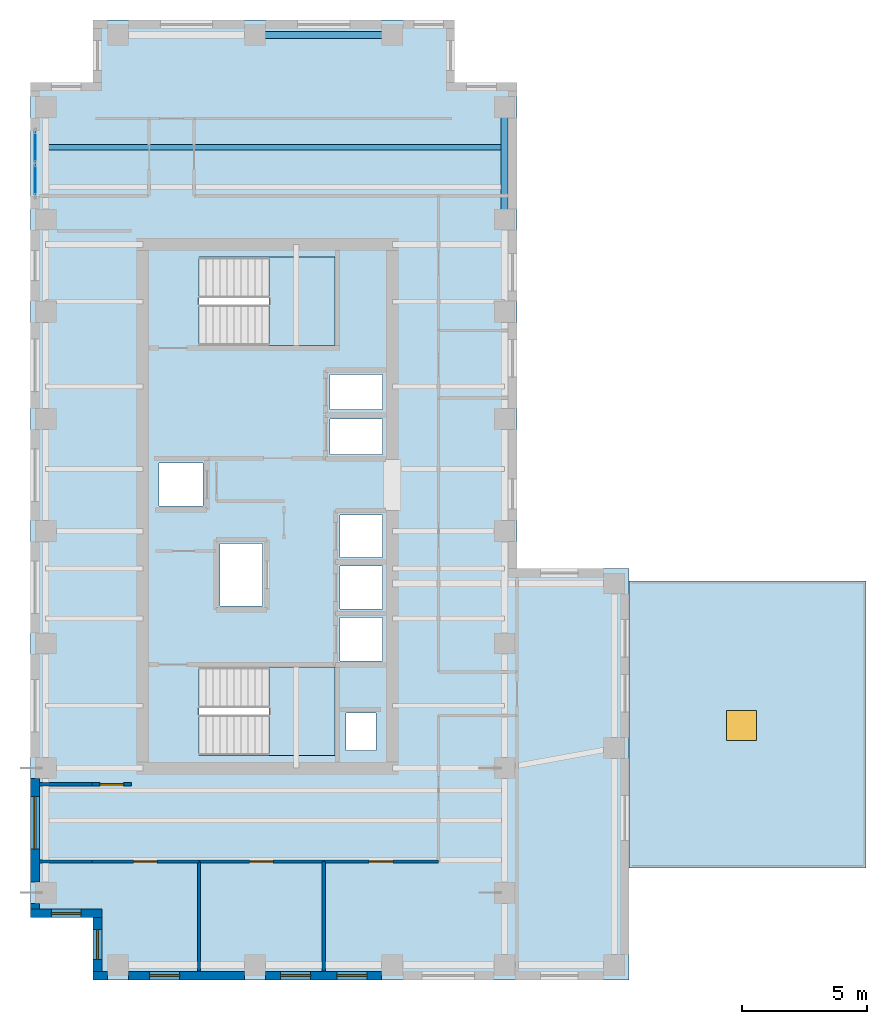
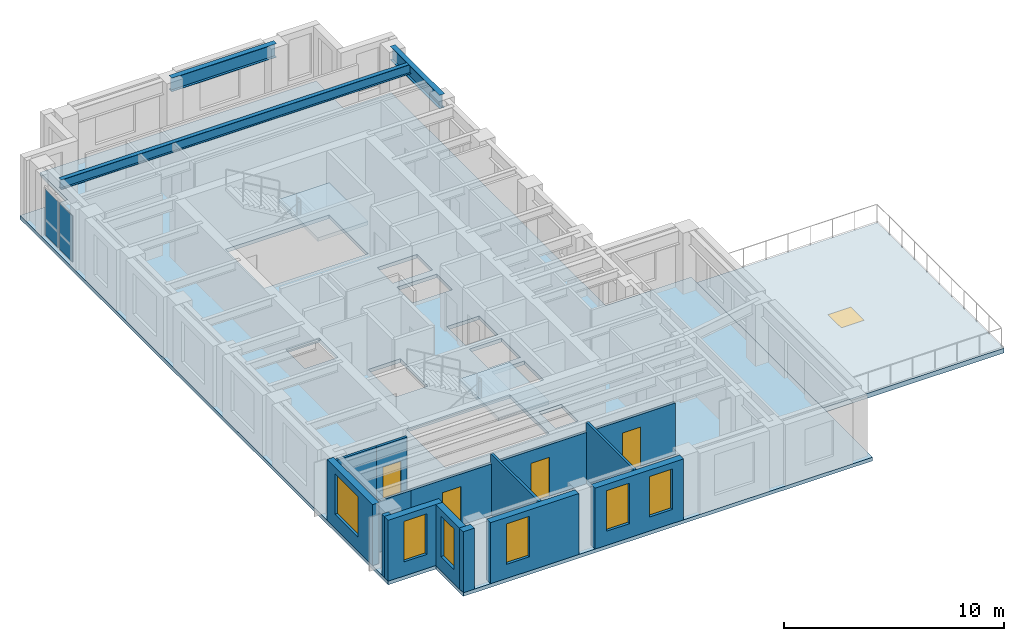
# One storey, part 5 of 11: 15 walls, 7 windows, 4 doors, 4 slabs, 3 beams, 2 plates, 11 openings, 3 elements without a shape of their own.
"""IFC4 building model written with IfcOpenShell, lengths in metres."""

from ifc_helpers import new_model, si_unit, direction, frame, frame_2d, origin, origin_2d, place, context, subcontext, project, spatial, polyline, rectangle, i_section, outline, extrude, source, transform, mapped, material, layer, layer_set, material_profile, profile_set, type_object, element, fill, aggregate, save


model = new_model("IFC4")

# Units and contexts
model_context = context("Model", 3, precision=1e-05, world=origin(), true_north=direction((0.0, 1.0)))
body_context = subcontext(model_context, "Body", "Model", "MODEL_VIEW")
ifc_project = project(units=[si_unit("LENGTHUNIT", "METRE"), si_unit("AREAUNIT", "SQUARE_METRE"), si_unit("VOLUMEUNIT", "CUBIC_METRE"), si_unit("PLANEANGLEUNIT", "RADIAN"), si_unit("MASSUNIT", "GRAM", prefix="KILO")], contexts=[model_context])

# Site, building, storey
site_placement = place(None, origin())
site = spatial("IfcSite", under=ifc_project, at=site_placement, CompositionType="ELEMENT")
building_placement = place(site_placement, origin())
building = spatial("IfcBuilding", under=site, at=building_placement, Name="Kharzan Plaza Tower", CompositionType="ELEMENT")
storey_placement = place(building_placement, frame((0.0, 0.0, 262.800048828125)))
storey = spatial("IfcBuildingStorey", under=building, at=storey_placement, Name="L71", CompositionType="ELEMENT", Elevation=262.800048828125)

# Beams
ifc_material_1 = material(Name="Steel S355", Category="steel")
ifc_material_profile_1 = material_profile(ifc_material_1, i_section(OverallWidth=0.2099609375, OverallDepth=0.537109375, WebThickness=0.010986328125, FlangeThickness=0.017333984375, at=origin_2d()), Name="W530x101")
ifc_profile_set_1 = profile_set([ifc_material_profile_1], Name="Steel S355")
beam_type_1 = type_object("IfcBeamType", Name="BM-JST530B", PredefinedType="JOIST", material=ifc_profile_set_1)
shared_shape_1 = source(origin(), body_context, "Body", "SweptSolid", [
    extrude(i_section(OverallWidth=0.2099609375, OverallDepth=0.537109375, WebThickness=0.010986328125, FlangeThickness=0.017333984375, at=origin_2d()), origin(), (0.0, 0.0, 1.0), 18.39990234375),
])
beam_1_placement = place(storey_placement, frame((0.60009765625, 33.39990234375, 3.13134765625), z_axis=(1.0, 0.0, 0.0), x_axis=(0.0, 1.0, 0.0)))
element("IfcBeam", 1, at=beam_1_placement, inside=storey, type_object=beam_type_1, Name="L71 Wing A Composite Joist 05", PredefinedType="JOIST", context=body_context, shape_type="MappedRepresentation", body=[
    mapped(shared_shape_1, transform((0.0, 0.0, 0.0), x_axis=(1.0, 0.0, 0.0), y_axis=(0.0, 1.0, 0.0), z_axis=(0.0, 0.0, 1.0))),
])
ifc_material_profile_2 = material_profile(ifc_material_1, i_section(OverallWidth=0.26708984375, OverallDepth=0.76611328125, WebThickness=0.014892578125, FlangeThickness=0.023681640625, at=origin_2d()), Name="W760x185")
ifc_profile_set_2 = profile_set([ifc_material_profile_2], Name="Steel S355")
beam_type_2 = type_object("IfcBeamType", Name="BM-SP760B", PredefinedType="SPANDREL", material=ifc_profile_set_2)
shared_shape_2 = source(origin(), body_context, "Body", "SweptSolid", [
    extrude(i_section(OverallWidth=0.26708984375, OverallDepth=0.76611328125, WebThickness=0.014892578125, FlangeThickness=0.023681640625, at=origin_2d()), origin(), (0.0, 0.0, 1.0), 4.5),
])
beam_2_placement = place(storey_placement, frame((19.0, 30.5, 3.016845703125), z_axis=(0.0, 1.0, 0.0), x_axis=(-1.0, 0.0, 0.0)))
element("IfcBeam", 2, at=beam_2_placement, inside=storey, type_object=beam_type_2, Name="L71 Perimeter Tube Spandrel", PredefinedType="SPANDREL", context=body_context, shape_type="MappedRepresentation", body=[
    mapped(shared_shape_2, transform((0.0, 0.0, 0.0), x_axis=(1.0, 0.0, 0.0), y_axis=(0.0, 1.0, 0.0), z_axis=(0.0, 0.0, 1.0))),
])
shared_shape_3 = source(origin(), body_context, "Body", "SweptSolid", [
    extrude(i_section(OverallWidth=0.26708984375, OverallDepth=0.76611328125, WebThickness=0.014892578125, FlangeThickness=0.023681640625, at=origin_2d()), origin(), (0.0, 0.0, 1.0), 5.5),
])
beam_3_placement = place(storey_placement, frame((9.0, 37.89990234375, 3.016845703125), z_axis=(1.0, 0.0, 0.0), x_axis=(0.0, 1.0, 0.0)))
element("IfcBeam", 3, at=beam_3_placement, inside=storey, type_object=beam_type_2, Name="L71 Perimeter Tube Spandrel", PredefinedType="SPANDREL", context=body_context, shape_type="MappedRepresentation", body=[
    mapped(shared_shape_3, transform((0.0, 0.0, 0.0), x_axis=(1.0, 0.0, 0.0), y_axis=(0.0, 1.0, 0.0), z_axis=(0.0, 0.0, 1.0))),
])

# Slab
ifc_material_2 = material(Name="Concrete C40/50", Category="concrete")
ifc_layer_1 = layer(ifc_material_2, 0.199951171875)
ifc_layer_set_1 = layer_set([ifc_layer_1], Name="Concrete C40/50")
slab_type_1 = type_object("IfcSlabType", Name="SL-FLOOR-200", PredefinedType="FLOOR", material=ifc_layer_set_1)
slab_1_placement = place(storey_placement, frame((0.0, 0.0, -0.199951171875)))
element("IfcSlab", 4, at=slab_1_placement, inside=storey, type_object=slab_type_1, Name="L71 Composite Structural Floor Slab 200 mm", PredefinedType="FLOOR", context=body_context, shape_type="SweptSolid", body=[
    extrude(outline(polyline([(19.5, 36.0), (17.0, 36.0), (17.0, 38.5), (2.5, 38.5), (2.5, 36.0), (0.0, 36.0), (0.0, 2.5), (2.5, 2.5), (2.5, 0.0), (19.5, 0.0), (24.0, 0.0), (24.0, 16.5), (19.5, 16.5), (19.5, 36.0)]), holes=[polyline([(13.85009765625, 10.699951171875), (12.64990234375, 10.699951171875), (12.64990234375, 9.199951171875), (13.85009765625, 9.199951171875), (13.85009765625, 10.699951171875)]), polyline([(12.199951171875, 12.550048828125), (6.75, 12.550048828125), (6.75, 9.0), (12.199951171875, 9.0), (12.199951171875, 12.550048828125)]), polyline([(14.10009765625, 14.530029296875), (12.39990234375, 14.530029296875), (12.39990234375, 12.800048828125), (14.10009765625, 12.800048828125), (14.10009765625, 14.530029296875)]), polyline([(14.10009765625, 14.8701171875), (14.10009765625, 16.60009765625), (12.39990234375, 16.60009765625), (12.39990234375, 14.8701171875), (14.10009765625, 14.8701171875)]), polyline([(9.300048828125, 15.0), (9.300048828125, 17.5), (7.60009765625, 17.5), (7.60009765625, 15.0), (9.300048828125, 15.0)]), polyline([(14.10009765625, 18.64990234375), (12.39990234375, 18.64990234375), (12.39990234375, 16.93994140625), (14.10009765625, 16.93994140625), (14.10009765625, 18.64990234375)]), polyline([(6.89990234375, 20.72998046875), (5.14990234375, 20.72998046875), (5.14990234375, 19.010009765625), (6.89990234375, 19.010009765625), (6.89990234375, 20.72998046875)]), polyline([(14.10009765625, 22.489990234375), (12.0, 22.489990234375), (12.0, 21.070068359375), (14.10009765625, 21.070068359375), (14.10009765625, 22.489990234375)]), polyline([(14.10009765625, 22.8701171875), (14.10009765625, 24.2900390625), (12.0, 24.2900390625), (12.0, 22.8701171875), (14.10009765625, 22.8701171875)]), polyline([(12.199951171875, 25.449951171875), (12.199951171875, 29.0), (6.75, 29.0), (6.75, 25.449951171875), (12.199951171875, 25.449951171875)])]), origin(), (0.0, 0.0, 1.0), 0.199951171875),
])

# Stair, slab
stair_type_1 = type_object("IfcStairType", Name="STR-ST-1", PredefinedType="HALF_TURN_STAIR", material=ifc_material_2)
stair_1_placement = place(storey_placement, origin())
stair_1 = element("IfcStair", 5, at=stair_1_placement, inside=storey, type_object=stair_type_1, Name="L71 Protected Exit Stair ST-1", PredefinedType="HALF_TURN_STAIR")
ifc_layer_2 = layer(ifc_material_2, 0.219970703125)
ifc_layer_set_2 = layer_set([ifc_layer_2], Name="Concrete C40/50")
slab_type_2 = type_object("IfcSlabType", Name="SL-LANDING-220", PredefinedType="LANDING", material=ifc_layer_set_2)
slab_2_placement = place(storey_placement, frame((0.0, 0.0, 1.599853515625)))
slab_2 = element("IfcSlab", 6, at=slab_2_placement, type_object=slab_type_2, Name="ST-1 landing 1", PredefinedType="LANDING", context=body_context, shape_type="SweptSolid", body=[
    extrude(outline(polyline([(9.550048828125, 9.0), (12.199951171875, 9.0), (12.199951171875, 12.550048828125), (9.550048828125, 12.550048828125), (9.550048828125, 9.0)])), origin(), (0.0, 0.0, 1.0), 0.2001953125),
])
aggregate(stair_1, [slab_2])

stair_type_2 = type_object("IfcStairType", Name="STR-ST-2", PredefinedType="HALF_TURN_STAIR", material=ifc_material_2)
stair_2_placement = place(storey_placement, origin())
stair_2 = element("IfcStair", 7, at=stair_2_placement, inside=storey, type_object=stair_type_2, Name="L71 Protected Exit Stair ST-2", PredefinedType="HALF_TURN_STAIR")
slab_3_placement = place(storey_placement, frame((0.0, 0.0, 1.599853515625)))
slab_3 = element("IfcSlab", 8, at=slab_3_placement, type_object=slab_type_2, Name="ST-2 landing 1", PredefinedType="LANDING", context=body_context, shape_type="SweptSolid", body=[
    extrude(outline(polyline([(9.550048828125, 25.449951171875), (12.199951171875, 25.449951171875), (12.199951171875, 29.0), (9.550048828125, 29.0), (9.550048828125, 25.449951171875)])), origin(), (0.0, 0.0, 1.0), 0.2001953125),
])
aggregate(stair_2, [slab_3])

# Slab, opening, window
ifc_layer_3 = layer(ifc_material_2, 0.264892578125)
ifc_layer_set_3 = layer_set([ifc_layer_3], Name="Concrete C40/50")
slab_type_3 = type_object("IfcSlabType", Name="SL-TERR-TS-WB", PredefinedType="ROOF", material=ifc_layer_set_3)
slab_4_placement = place(storey_placement, frame((0.0, 0.0, -0.26513671875)))
slab_4 = element("IfcSlab", 9, at=slab_4_placement, inside=storey, type_object=slab_type_3, Name="L71 East Wing Offset Roof Terrace", PredefinedType="ROOF", context=body_context, shape_type="SweptSolid", body=[
    extrude(outline(polyline([(24.0, 4.5), (33.5, 4.5), (33.5, 16.0), (24.0, 16.0), (24.0, 4.5)])), origin(), (0.0, 0.0, 1.0), 0.26513671875),
])
opening_1_placement = place(slab_4_placement, frame((28.5, 10.199951171875, 0.0)))
opening_1 = element("IfcOpeningElement", 10, at=opening_1_placement, cuts=slab_4, Name="Opening RHT1", PredefinedType="OPENING", context=body_context, shape_type="SweptSolid", body=[
    extrude(rectangle(XDim=1.199951171875, YDim=1.199951171875, at=origin_2d()), frame((0.0, 0.0, -0.010009765625)), (0.0, 0.0, 1.0), 0.28515625),
])
ifc_material_3 = material(Name="Insulated Powder-Coated Aluminium", Category="aluminium")
window_type_1 = type_object("IfcWindowType", Name="WN-ROOF-HATCH", PartitioningType="SINGLE_PANEL", PredefinedType="SKYLIGHT", material=ifc_material_3)
window_1_placement = place(opening_1_placement, frame((0.0, 0.0, 0.215087890625)))
window_1 = element("IfcWindow", 11, at=window_1_placement, inside=storey, type_object=window_type_1, Name="L71 Wing-B Roof Maintenance Access Hatch", OverallHeight=1.199951171875, OverallWidth=1.199951171875, PartitioningType="SINGLE_PANEL", PredefinedType="SKYLIGHT", context=body_context, shape_type="SweptSolid", body=[
    extrude(rectangle(XDim=1.199951171875, YDim=1.199951171875, at=origin_2d()), origin(), (0.0, 0.0, 1.0), 0.050048828125),
])
fill(opening_1, window_1)

# Curtain wall, plates
ifc_material_4 = material(Name="Unitised Bronze-Anodized Aluminium and Low-E Glass", Category="aluminium")
ifc_layer_4 = layer(ifc_material_4, 0.199951171875)
ifc_layer_set_4 = layer_set([ifc_layer_4], Name="Unitised Bronze-Anodized Aluminium and Low-E Glass")
curtain_wall_type = type_object("IfcCurtainWallType", Name="CW-EXEC-5", PredefinedType="NOTDEFINED", material=ifc_layer_set_4)
curtain_wall_placement = place(storey_placement, origin())
curtain_wall = element("IfcCurtainWall", 12, at=curtain_wall_placement, inside=storey, type_object=curtain_wall_type, Name="L71 Upper Executive Setback Panoramic Curtain Wall", PredefinedType="NOTDEFINED")
ifc_material_5 = material(Name="Dark Solar-Control Double Glazing", Category="glass")
ifc_layer_5 = layer(ifc_material_5, 0.031982421875)
ifc_layer_set_5 = layer_set([ifc_layer_5], Name="Dark Solar-Control Double Glazing")
plate_type = type_object("IfcPlateType", Name="PLT-CW-GLASS", PredefinedType="CURTAIN_PANEL", material=ifc_layer_set_5)
shared_shape_4 = source(origin(), body_context, "Body", "SweptSolid", [
    extrude(rectangle(XDim=1.179931640625, YDim=0.031982421875, at=origin_2d()), origin(), (0.0, 0.0, 1.0), 2.5400390625),
])
plate_1_placement = place(storey_placement, frame((0.179931640625, 32.10009765625, 0.079833984375), z_axis=(0.0, 0.0, 1.0), x_axis=(0.0, 1.0, 0.0)))
plate_1 = element("IfcPlate", 13, at=plate_1_placement, type_object=plate_type, Name="L71 Curtain-Wall Glazed Panel 00", PredefinedType="CURTAIN_PANEL", context=body_context, shape_type="MappedRepresentation", body=[
    mapped(shared_shape_4, transform((0.0, 0.0, 0.0), x_axis=(1.0, 0.0, 0.0), y_axis=(0.0, 1.0, 0.0), z_axis=(0.0, 0.0, 1.0))),
])
plate_2_placement = place(storey_placement, frame((0.179931640625, 33.39990234375, 0.079833984375), z_axis=(0.0, 0.0, 1.0), x_axis=(0.0, 1.0, 0.0)))
plate_2 = element("IfcPlate", 14, at=plate_2_placement, type_object=plate_type, Name="L71 Curtain-Wall Glazed Panel 01", PredefinedType="CURTAIN_PANEL", context=body_context, shape_type="MappedRepresentation", body=[
    mapped(shared_shape_4, transform((0.0, 0.0, 0.0), x_axis=(1.0, 0.0, 0.0), y_axis=(0.0, 1.0, 0.0), z_axis=(0.0, 0.0, 1.0))),
])
aggregate(curtain_wall, [plate_1, plate_2])

# Wall, opening, window
ifc_layer_6 = layer(ifc_material_2, 0.35009765625)
ifc_layer_set_6 = layer_set([ifc_layer_6], Name="Concrete C40/50")
wall_type_1 = type_object("IfcWallType", Name="WL-EXT-MAS-Z4", PredefinedType="SOLIDWALL", material=ifc_layer_set_6)
wall_1_placement = place(storey_placement, frame((0.175048828125, 8.076904296875, 0.0), z_axis=(0.0, 0.0, 1.0), x_axis=(0.0, -1.0, 0.0)))
wall_1 = element("IfcWall", 15, at=wall_1_placement, inside=storey, type_object=wall_type_1, Name="L71 Masonry-Frame Exterior Wall 16", PredefinedType="SOLIDWALL", context=body_context, shape_type="SweptSolid", body=[
    extrude(rectangle(XDim=4.15380859375, YDim=0.35009765625, at=frame_2d((2.076904296875, 0.0))), origin(), (0.0, 0.0, 1.0), 3.385009765625),
])
opening_2_placement = place(wall_1_placement, frame((0.72705078125, 0.0, 0.780029296875)))
opening_2 = element("IfcOpeningElement", 16, at=opening_2_placement, cuts=wall_1, Name="Opening W6", PredefinedType="OPENING", context=body_context, shape_type="SweptSolid", body=[
    extrude(rectangle(XDim=2.10009765625, YDim=2.25, at=frame_2d((1.050048828125, 1.125))), frame((0.0, 0.18505859375, 0.0), z_axis=(0.0, -1.0, 0.0), x_axis=(1.0, 0.0, 0.0)), (0.0, 0.0, 1.0), 0.3701171875),
])
ifc_material_6 = material(Name="Low-E Double Glazing", Category="glass")
window_type_2 = type_object("IfcWindowType", Name="WN-EXEC-2100x2250", PartitioningType="SINGLE_PANEL", PredefinedType="WINDOW", material=ifc_material_6)
shared_shape_5 = source(origin(), body_context, "Body", "SweptSolid", [
    extrude(rectangle(XDim=2.10009765625, YDim=2.25, at=frame_2d((1.050048828125, 1.125))), frame((0.0, 0.030029296875, 0.0), z_axis=(0.0, -1.0, 0.0), x_axis=(1.0, 0.0, 0.0)), (0.0, 0.0, 1.0), 0.06005859375),
])
window_2_placement = place(opening_2_placement, origin())
window_2 = element("IfcWindow", 17, at=window_2_placement, inside=storey, type_object=window_type_2, Name="L71 Recessed Solar-Control Window 16-1", OverallHeight=2.25, OverallWidth=2.10009765625, PartitioningType="SINGLE_PANEL", PredefinedType="WINDOW", context=body_context, shape_type="MappedRepresentation", body=[
    mapped(shared_shape_5, transform((0.0, 0.0, 0.0), x_axis=(1.0, 0.0, 0.0), y_axis=(0.0, 1.0, 0.0), z_axis=(0.0, 0.0, 1.0))),
])
fill(opening_2, window_2)

wall_2_placement = place(storey_placement, frame((0.0, 2.675048828125, 0.0), z_axis=(0.0, 0.0, 1.0), x_axis=(1.0, 0.0, 0.0)))
wall_2 = element("IfcWall", 18, at=wall_2_placement, inside=storey, type_object=wall_type_1, Name="L71 Masonry-Frame Exterior Wall 18", PredefinedType="SOLIDWALL", context=body_context, shape_type="SweptSolid", body=[
    extrude(rectangle(XDim=2.85009765625, YDim=0.35009765625, at=frame_2d((1.425048828125, 0.0))), origin(), (0.0, 0.0, 1.0), 3.385009765625),
])
opening_3_placement = place(wall_2_placement, frame((0.824951171875, 0.0, 0.780029296875)))
opening_3 = element("IfcOpeningElement", 19, at=opening_3_placement, cuts=wall_2, Name="Opening W3", PredefinedType="OPENING", context=body_context, shape_type="SweptSolid", body=[
    extrude(rectangle(XDim=1.199951171875, YDim=2.25, at=frame_2d((0.60009765625, 1.125))), frame((0.0, 0.18505859375, 0.0), z_axis=(0.0, -1.0, 0.0), x_axis=(1.0, 0.0, 0.0)), (0.0, 0.0, 1.0), 0.3701171875),
])
window_type_3 = type_object("IfcWindowType", Name="WN-REC-1200x2100", PartitioningType="SINGLE_PANEL", PredefinedType="WINDOW", material=ifc_material_6)
shared_shape_6 = source(origin(), body_context, "Body", "SweptSolid", [
    extrude(rectangle(XDim=1.199951171875, YDim=2.25, at=frame_2d((0.60009765625, 1.125))), frame((0.0, 0.030029296875, 0.0), z_axis=(0.0, -1.0, 0.0), x_axis=(1.0, 0.0, 0.0)), (0.0, 0.0, 1.0), 0.06005859375),
])
window_3_placement = place(opening_3_placement, origin())
window_3 = element("IfcWindow", 20, at=window_3_placement, inside=storey, type_object=window_type_3, Name="L71 Recessed Solar-Control Window 18-1", OverallHeight=2.25, OverallWidth=1.199951171875, PartitioningType="SINGLE_PANEL", PredefinedType="WINDOW", context=body_context, shape_type="MappedRepresentation", body=[
    mapped(shared_shape_6, transform((0.0, 0.0, 0.0), x_axis=(1.0, 0.0, 0.0), y_axis=(0.0, 1.0, 0.0), z_axis=(0.0, 0.0, 1.0))),
])
fill(opening_3, window_3)

wall_3_placement = place(storey_placement, frame((2.675048828125, 2.501953125, 0.0), z_axis=(0.0, 0.0, 1.0), x_axis=(0.0, -1.0, 0.0)))
wall_3 = element("IfcWall", 21, at=wall_3_placement, inside=storey, type_object=wall_type_1, Name="L71 Masonry-Frame Exterior Wall 19", PredefinedType="SOLIDWALL", context=body_context, shape_type="SweptSolid", body=[
    extrude(rectangle(XDim=2.154052734375, YDim=0.35009765625, at=frame_2d((1.0771484375, 0.0))), origin(), (0.0, 0.0, 1.0), 3.385009765625),
])
opening_4_placement = place(wall_3_placement, frame((0.47705078125, 0.0, 0.780029296875)))
opening_4 = element("IfcOpeningElement", 22, at=opening_4_placement, cuts=wall_3, Name="Opening W3", PredefinedType="OPENING", context=body_context, shape_type="SweptSolid", body=[
    extrude(rectangle(XDim=1.199951171875, YDim=2.25, at=frame_2d((0.60009765625, 1.125))), frame((0.0, 0.18505859375, 0.0), z_axis=(0.0, -1.0, 0.0), x_axis=(1.0, 0.0, 0.0)), (0.0, 0.0, 1.0), 0.3701171875),
])
window_4_placement = place(opening_4_placement, origin())
window_4 = element("IfcWindow", 23, at=window_4_placement, inside=storey, type_object=window_type_3, Name="L71 Recessed Solar-Control Window 19-1", OverallHeight=2.25, OverallWidth=1.199951171875, PartitioningType="SINGLE_PANEL", PredefinedType="WINDOW", context=body_context, shape_type="MappedRepresentation", body=[
    mapped(shared_shape_6, transform((0.0, 0.0, 0.0), x_axis=(1.0, 0.0, 0.0), y_axis=(0.0, 1.0, 0.0), z_axis=(0.0, 0.0, 1.0))),
])
fill(opening_4, window_4)

wall_4_placement = place(storey_placement, frame((3.923095703125, 0.175048828125, 0.0), z_axis=(0.0, 0.0, 1.0), x_axis=(1.0, 0.0, 0.0)))
wall_4 = element("IfcWall", 24, at=wall_4_placement, inside=storey, type_object=wall_type_1, Name="L71 Masonry-Frame Exterior Wall 21", PredefinedType="SOLIDWALL", context=body_context, shape_type="SweptSolid", body=[
    extrude(rectangle(XDim=4.65380859375, YDim=0.35009765625, at=frame_2d((2.326904296875, 0.0))), origin(), (0.0, 0.0, 1.0), 3.385009765625),
])
opening_5_placement = place(wall_4_placement, frame((0.846923828125, 0.0, 0.780029296875)))
opening_5 = element("IfcOpeningElement", 25, at=opening_5_placement, cuts=wall_4, Name="Opening W3", PredefinedType="OPENING", context=body_context, shape_type="SweptSolid", body=[
    extrude(rectangle(XDim=1.199951171875, YDim=2.25, at=frame_2d((0.60009765625, 1.125))), frame((0.0, 0.18505859375, 0.0), z_axis=(0.0, -1.0, 0.0), x_axis=(1.0, 0.0, 0.0)), (0.0, 0.0, 1.0), 0.3701171875),
])
window_5_placement = place(opening_5_placement, origin())
window_5 = element("IfcWindow", 26, at=window_5_placement, inside=storey, type_object=window_type_3, Name="L71 Recessed Solar-Control Window 21-1", OverallHeight=2.25, OverallWidth=1.199951171875, PartitioningType="SINGLE_PANEL", PredefinedType="WINDOW", context=body_context, shape_type="MappedRepresentation", body=[
    mapped(shared_shape_6, transform((0.0, 0.0, 0.0), x_axis=(1.0, 0.0, 0.0), y_axis=(0.0, 1.0, 0.0), z_axis=(0.0, 0.0, 1.0))),
])
fill(opening_5, window_5)

# Wall, openings, windows
wall_5_placement = place(storey_placement, frame((9.423095703125, 0.175048828125, 0.0), z_axis=(0.0, 0.0, 1.0), x_axis=(1.0, 0.0, 0.0)))
wall_5 = element("IfcWall", 27, at=wall_5_placement, inside=storey, type_object=wall_type_1, Name="L71 Masonry-Frame Exterior Wall 22", PredefinedType="SOLIDWALL", context=body_context, shape_type="SweptSolid", body=[
    extrude(rectangle(XDim=4.65380859375, YDim=0.35009765625, at=frame_2d((2.326904296875, 0.0))), origin(), (0.0, 0.0, 1.0), 3.385009765625),
])
opening_6_placement = place(wall_5_placement, frame((0.599609375, 0.0, 0.780029296875)))
opening_6 = element("IfcOpeningElement", 28, at=opening_6_placement, cuts=wall_5, Name="Opening W3", PredefinedType="OPENING", context=body_context, shape_type="SweptSolid", body=[
    extrude(rectangle(XDim=1.199951171875, YDim=2.25, at=frame_2d((0.60009765625, 1.125))), frame((0.0, 0.18505859375, 0.0), z_axis=(0.0, -1.0, 0.0), x_axis=(1.0, 0.0, 0.0)), (0.0, 0.0, 1.0), 0.3701171875),
])
opening_7_placement = place(wall_5_placement, frame((2.8564453125, 0.0, 0.780029296875)))
opening_7 = element("IfcOpeningElement", 29, at=opening_7_placement, cuts=wall_5, Name="Opening W3", PredefinedType="OPENING", context=body_context, shape_type="SweptSolid", body=[
    extrude(rectangle(XDim=1.199951171875, YDim=2.25, at=frame_2d((0.60009765625, 1.125))), frame((0.0, 0.18505859375, 0.0), z_axis=(0.0, -1.0, 0.0), x_axis=(1.0, 0.0, 0.0)), (0.0, 0.0, 1.0), 0.3701171875),
])
window_6_placement = place(opening_6_placement, origin())
window_6 = element("IfcWindow", 30, at=window_6_placement, inside=storey, type_object=window_type_3, Name="L71 Recessed Solar-Control Window 22-1", OverallHeight=2.25, OverallWidth=1.199951171875, PartitioningType="SINGLE_PANEL", PredefinedType="WINDOW", context=body_context, shape_type="MappedRepresentation", body=[
    mapped(shared_shape_6, transform((0.0, 0.0, 0.0), x_axis=(1.0, 0.0, 0.0), y_axis=(0.0, 1.0, 0.0), z_axis=(0.0, 0.0, 1.0))),
])
fill(opening_6, window_6)
window_7_placement = place(opening_7_placement, origin())
window_7 = element("IfcWindow", 31, at=window_7_placement, inside=storey, type_object=window_type_3, Name="L71 Recessed Solar-Control Window 22-2", OverallHeight=2.25, OverallWidth=1.199951171875, PartitioningType="SINGLE_PANEL", PredefinedType="WINDOW", context=body_context, shape_type="MappedRepresentation", body=[
    mapped(shared_shape_6, transform((0.0, 0.0, 0.0), x_axis=(1.0, 0.0, 0.0), y_axis=(0.0, 1.0, 0.0), z_axis=(0.0, 0.0, 1.0))),
])
fill(opening_7, window_7)

# Wall, opening, door
ifc_material_7 = material(Name="Fire-Rated Gypsum Board Partition", Category="gypsum")
ifc_layer_7 = layer(ifc_material_7, 0.125)
ifc_layer_set_7 = layer_set([ifc_layer_7], Name="Fire-Rated Gypsum Board Partition")
wall_type_2 = type_object("IfcWallType", Name="WL-INT-PART-125", PredefinedType="PARTITIONING", material=ifc_layer_set_7)
wall_6_placement = place(storey_placement, frame((2.449951171875, 7.85009765625, 0.0), z_axis=(0.0, 0.0, 1.0), x_axis=(1.0, 0.0, 0.0)))
wall_6 = element("IfcWall", 32, at=wall_6_placement, inside=storey, type_object=wall_type_2, Name="L71 Interior Partition SH-RWSD", PredefinedType="PARTITIONING", context=body_context, shape_type="SweptSolid", body=[
    extrude(rectangle(XDim=1.60009765625, YDim=0.125, at=frame_2d((0.800048828125, 0.0))), origin(), (0.0, 0.0, 1.0), 3.385009765625),
])
opening_8_placement = place(wall_6_placement, frame((0.324951171875, 0.0, 0.0)))
opening_8 = element("IfcOpeningElement", 33, at=opening_8_placement, cuts=wall_6, Name="Opening OD1", PredefinedType="OPENING", context=body_context, shape_type="SweptSolid", body=[
    extrude(rectangle(XDim=0.949951171875, YDim=2.14990234375, at=frame_2d((0.47509765625, 1.074951171875))), frame((0.0, 0.072509765625, 0.0), z_axis=(0.0, -1.0, 0.0), x_axis=(1.0, 0.0, 0.0)), (0.0, 0.0, 1.0), 0.14501953125),
])
ifc_material_8 = material(Name="Acoustic Solid-Core Stained Oak", Category="timber")
door_type = type_object("IfcDoorType", Name="DR-OFF-SINGLE", OperationType="NOTDEFINED", PredefinedType="DOOR", material=ifc_material_8)
shared_shape_7 = source(origin(), body_context, "Body", "SweptSolid", [
    extrude(rectangle(XDim=0.949951171875, YDim=2.14990234375, at=frame_2d((0.47509765625, 1.074951171875))), frame((0.0, 0.02490234375, 0.0), z_axis=(0.0, -1.0, 0.0), x_axis=(1.0, 0.0, 0.0)), (0.0, 0.0, 1.0), 0.050048828125),
])
door_1_placement = place(opening_8_placement, origin())
door_1 = element("IfcDoor", 34, at=door_1_placement, inside=storey, type_object=door_type, Name="L71 West Studio South Door", OperationType="SINGLE_SWING_LEFT", OverallHeight=2.14990234375, OverallWidth=0.949951171875, PredefinedType="DOOR", context=body_context, shape_type="MappedRepresentation", body=[
    mapped(shared_shape_7, transform((0.0, 0.0, 0.0), x_axis=(1.0, 0.0, 0.0), y_axis=(0.0, 1.0, 0.0), z_axis=(0.0, 0.0, 1.0))),
])
fill(opening_8, door_1)

wall_7_placement = place(storey_placement, frame((2.449951171875, 4.75, 0.0), z_axis=(0.0, 0.0, 1.0), x_axis=(1.0, 0.0, 0.0)))
wall_7 = element("IfcWall", 35, at=wall_7_placement, inside=storey, type_object=wall_type_2, Name="L71 Interior Partition SH-SS-1", PredefinedType="PARTITIONING", context=body_context, shape_type="SweptSolid", body=[
    extrude(rectangle(XDim=4.297119140625, YDim=0.125, at=frame_2d((2.1484375, 0.0))), origin(), (0.0, 0.0, 1.0), 2.847900390625),
])
opening_9_placement = place(wall_7_placement, frame((1.673583984375, 0.0, 0.0)))
opening_9 = element("IfcOpeningElement", 36, at=opening_9_placement, cuts=wall_7, Name="Opening OD1", PredefinedType="OPENING", context=body_context, shape_type="SweptSolid", body=[
    extrude(rectangle(XDim=0.949951171875, YDim=2.14990234375, at=frame_2d((0.47509765625, 1.074951171875))), frame((0.0, 0.072509765625, 0.0), z_axis=(0.0, -1.0, 0.0), x_axis=(1.0, 0.0, 0.0)), (0.0, 0.0, 1.0), 0.14501953125),
])
door_2_placement = place(opening_9_placement, origin())
door_2 = element("IfcDoor", 37, at=door_2_placement, inside=storey, type_object=door_type, Name="L71 Port Logistics Office Door", OperationType="SINGLE_SWING_RIGHT", OverallHeight=2.14990234375, OverallWidth=0.949951171875, PredefinedType="DOOR", context=body_context, shape_type="MappedRepresentation", body=[
    mapped(shared_shape_7, transform((0.0, 0.0, 0.0), x_axis=(1.0, 0.0, 0.0), y_axis=(0.0, 1.0, 0.0), z_axis=(0.0, 0.0, 1.0))),
])
fill(opening_9, door_2)

wall_8_placement = place(storey_placement, frame((6.7470703125, 4.75, 0.0), z_axis=(0.0, 0.0, 1.0), x_axis=(1.0, 0.0, 0.0)))
wall_8 = element("IfcWall", 38, at=wall_8_placement, inside=storey, type_object=wall_type_2, Name="L71 Interior Partition SH-SS-2", PredefinedType="PARTITIONING", context=body_context, shape_type="SweptSolid", body=[
    extrude(rectangle(XDim=5.0048828125, YDim=0.125, at=frame_2d((2.50244140625, 0.0))), origin(), (0.0, 0.0, 1.0), 2.847900390625),
])
opening_10_placement = place(wall_8_placement, frame((2.027587890625, 0.0, 0.0)))
opening_10 = element("IfcOpeningElement", 39, at=opening_10_placement, cuts=wall_8, Name="Opening OD1", PredefinedType="OPENING", context=body_context, shape_type="SweptSolid", body=[
    extrude(rectangle(XDim=0.949951171875, YDim=2.14990234375, at=frame_2d((0.47509765625, 1.074951171875))), frame((0.0, 0.072509765625, 0.0), z_axis=(0.0, -1.0, 0.0), x_axis=(1.0, 0.0, 0.0)), (0.0, 0.0, 1.0), 0.14501953125),
])
door_3_placement = place(opening_10_placement, origin())
door_3 = element("IfcDoor", 40, at=door_3_placement, inside=storey, type_object=door_type, Name="L71 Hospitality Tea Pantry Door", OperationType="SINGLE_SWING_LEFT", OverallHeight=2.14990234375, OverallWidth=0.949951171875, PredefinedType="DOOR", context=body_context, shape_type="MappedRepresentation", body=[
    mapped(shared_shape_7, transform((0.0, 0.0, 0.0), x_axis=(1.0, 0.0, 0.0), y_axis=(0.0, 1.0, 0.0), z_axis=(0.0, 0.0, 1.0))),
])
fill(opening_10, door_3)

wall_9_placement = place(storey_placement, frame((11.751953125, 4.75, 0.0), z_axis=(0.0, 0.0, 1.0), x_axis=(1.0, 0.0, 0.0)))
wall_9 = element("IfcWall", 41, at=wall_9_placement, inside=storey, type_object=wall_type_2, Name="L71 Interior Partition SH-SS-3", PredefinedType="PARTITIONING", context=body_context, shape_type="SweptSolid", body=[
    extrude(rectangle(XDim=4.59814453125, YDim=0.125, at=frame_2d((2.299072265625, 0.0))), origin(), (0.0, 0.0, 1.0), 2.847900390625),
])
opening_11_placement = place(wall_9_placement, frame((1.823974609375, 0.0, 0.0)))
opening_11 = element("IfcOpeningElement", 42, at=opening_11_placement, cuts=wall_9, Name="Opening OD1", PredefinedType="OPENING", context=body_context, shape_type="SweptSolid", body=[
    extrude(rectangle(XDim=0.949951171875, YDim=2.14990234375, at=frame_2d((0.47509765625, 1.074951171875))), frame((0.0, 0.072509765625, 0.0), z_axis=(0.0, -1.0, 0.0), x_axis=(1.0, 0.0, 0.0)), (0.0, 0.0, 1.0), 0.14501953125),
])
door_4_placement = place(opening_11_placement, origin())
door_4 = element("IfcDoor", 43, at=door_4_placement, inside=storey, type_object=door_type, Name="L71 Hospitality Tea Pantry Door", OperationType="SINGLE_SWING_RIGHT", OverallHeight=2.14990234375, OverallWidth=0.949951171875, PredefinedType="DOOR", context=body_context, shape_type="MappedRepresentation", body=[
    mapped(shared_shape_7, transform((0.0, 0.0, 0.0), x_axis=(1.0, 0.0, 0.0), y_axis=(0.0, 1.0, 0.0), z_axis=(0.0, 0.0, 1.0))),
])
fill(opening_11, door_4)

# Walls
shared_shape_8 = source(origin(), body_context, "Body", "SweptSolid", [
    extrude(rectangle(XDim=2.097900390625, YDim=0.125, at=frame_2d((1.048828125, 0.0))), origin(), (0.0, 0.0, 1.0), 3.385009765625),
])
wall_10_placement = place(storey_placement, frame((0.35205078125, 7.85009765625, 0.0), z_axis=(0.0, 0.0, 1.0), x_axis=(1.0, 0.0, 0.0)))
element("IfcWall", 44, at=wall_10_placement, inside=storey, type_object=wall_type_2, Name="L71 Interior Partition SH-RWS0", PredefinedType="PARTITIONING", context=body_context, shape_type="MappedRepresentation", body=[
    mapped(shared_shape_8, transform((0.0, 0.0, 0.0), x_axis=(1.0, 0.0, 0.0), y_axis=(0.0, 1.0, 0.0), z_axis=(0.0, 0.0, 1.0))),
])
shared_shape_9 = source(origin(), body_context, "Body", "SweptSolid", [
    extrude(rectangle(XDim=2.097900390625, YDim=0.125, at=frame_2d((1.048828125, 0.0))), origin(), (0.0, 0.0, 1.0), 2.847900390625),
])
wall_11_placement = place(storey_placement, frame((0.35205078125, 4.75, 0.0), z_axis=(0.0, 0.0, 1.0), x_axis=(1.0, 0.0, 0.0)))
element("IfcWall", 45, at=wall_11_placement, inside=storey, type_object=wall_type_2, Name="L71 Interior Partition SH-SS-EXT", PredefinedType="PARTITIONING", context=body_context, shape_type="MappedRepresentation", body=[
    mapped(shared_shape_9, transform((0.0, 0.0, 0.0), x_axis=(1.0, 0.0, 0.0), y_axis=(0.0, 1.0, 0.0), z_axis=(0.0, 0.0, 1.0))),
])
shared_shape_10 = source(origin(), body_context, "Body", "SweptSolid", [
    extrude(rectangle(XDim=4.39794921875, YDim=0.125, at=frame_2d((2.198974609375, 0.0))), origin(), (0.0, 0.0, 1.0), 3.385009765625),
])
for number, where, z_axis, x_axis, name in (
    (46, (6.7470703125, 0.35205078125, 0.0), (0.0, 0.0, 1.0), (0.0, 1.0, 0.0), "L71 Interior Partition SH-SV-1"),
    (47, (11.751953125, 0.35205078125, 0.0), (0.0, 0.0, 1.0), (0.0, 1.0, 0.0), "L71 Interior Partition SH-SV-2"),
):
    element("IfcWall", number, at=place(storey_placement, frame(where, z_axis=z_axis, x_axis=x_axis)), inside=storey, type_object=wall_type_2, Name=name, PredefinedType="PARTITIONING", context=body_context, shape_type="MappedRepresentation", body=[
        mapped(shared_shape_10, transform((0.0, 0.0, 0.0), x_axis=(1.0, 0.0, 0.0), y_axis=(0.0, 1.0, 0.0), z_axis=(0.0, 0.0, 1.0))),
    ])
shared_shape_11 = source(origin(), body_context, "Body", "SweptSolid", [
    extrude(rectangle(XDim=0.576904296875, YDim=0.35009765625, at=frame_2d((0.28857421875, 0.0))), origin(), (0.0, 0.0, 1.0), 3.385009765625),
])
wall_12_placement = place(storey_placement, frame((2.5, 0.175048828125, 0.0), z_axis=(0.0, 0.0, 1.0), x_axis=(1.0, 0.0, 0.0)))
element("IfcWall", 48, at=wall_12_placement, inside=storey, type_object=wall_type_1, Name="L71 Masonry-Frame Exterior Wall 20", PredefinedType="SOLIDWALL", context=body_context, shape_type="MappedRepresentation", body=[
    mapped(shared_shape_11, transform((0.0, 0.0, 0.0), x_axis=(1.0, 0.0, 0.0), y_axis=(0.0, 1.0, 0.0), z_axis=(0.0, 0.0, 1.0))),
])
shared_shape_12 = source(origin(), body_context, "Body", "SweptSolid", [
    extrude(rectangle(XDim=0.22900390625, YDim=0.35009765625, at=frame_2d((0.114501953125, 0.0))), origin(), (0.0, 0.0, 1.0), 3.385009765625),
])
wall_13_placement = place(storey_placement, frame((0.175048828125, 3.076904296875, 0.0), z_axis=(0.0, 0.0, 1.0), x_axis=(0.0, -1.0, 0.0)))
element("IfcWall", 49, at=wall_13_placement, inside=storey, type_object=wall_type_1, Name="L71 Masonry-Frame Exterior Wall 17", PredefinedType="SOLIDWALL", context=body_context, shape_type="MappedRepresentation", body=[
    mapped(shared_shape_12, transform((0.0, 0.0, 0.0), x_axis=(1.0, 0.0, 0.0), y_axis=(0.0, 1.0, 0.0), z_axis=(0.0, 0.0, 1.0))),
])

save(model, "model.ifc")
